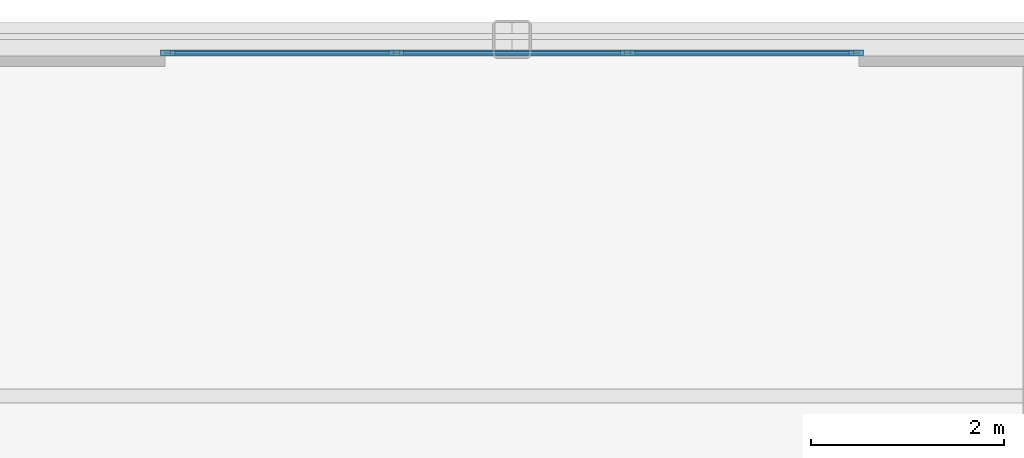
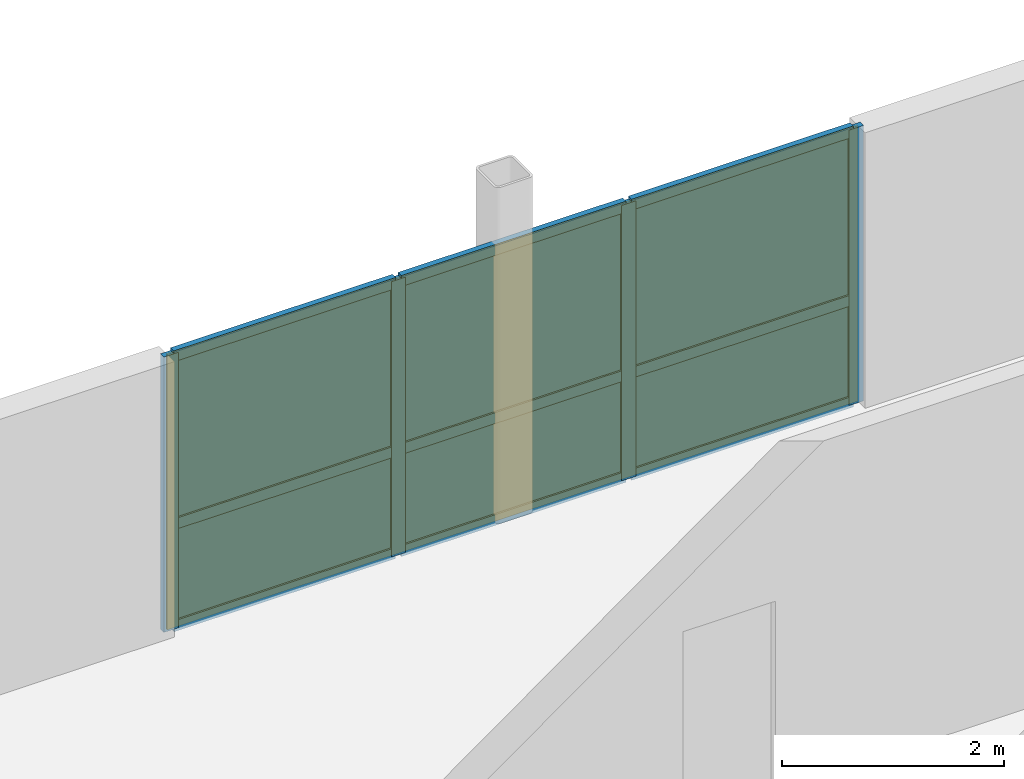
# One storey, part 5 of 9: 13 members, 6 plates, 1 curtain wall.
"""IFC4 building model written with IfcOpenShell, lengths in metres."""

from ifc_helpers import new_model, si_unit, direction, frame, frame_2d, origin, origin_2d, place, context, subcontext, project, spatial, rectangle, extrude, source, transform, mapped, material, layer, layer_set, material_profile, profile_set, type_object, type_shapes, element, aggregate, save


model = new_model("IFC4")

# Units and contexts
model_context = context("Model", 3, precision=1e-05, world=origin(), true_north=direction((0.0, 1.0)))
body_context = subcontext(model_context, "Body", "Model", "MODEL_VIEW")
ifc_project = project(units=[si_unit("LENGTHUNIT", "METRE"), si_unit("AREAUNIT", "SQUARE_METRE"), si_unit("VOLUMEUNIT", "CUBIC_METRE"), si_unit("PLANEANGLEUNIT", "RADIAN"), si_unit("MASSUNIT", "GRAM", prefix="KILO")], contexts=[model_context])

# Member
ifc_material_1 = material(Name="Anodised aluminium 6063-T6", Category="aluminium")
ifc_material_profile_1 = material_profile(ifc_material_1, rectangle(XDim=0.06005859375, YDim=0.14990234375, at=origin_2d()), Name="ALU-MULL-60x150")
ifc_profile_set_1 = profile_set([ifc_material_profile_1], Name="Anodised aluminium 6063-T6")
member_type_1 = type_object("IfcMemberType", Name="CWM-6", PredefinedType="MULLION", material=ifc_profile_set_1)
site_placement = place(None, origin())
building_placement = place(site_placement, origin())
storey_placement = place(building_placement, frame((0.0, 0.0, 287.14990234375)))
member_1_placement = place(storey_placement, frame((-3.570068359375, 16.860107421875, 0.0), z_axis=(0.0, 0.0, 1.0), x_axis=(0.0, 1.0, 0.0)))
member_1 = element("IfcMember", 1, at=member_1_placement, type_object=member_type_1, Name="CWS-6 mullion 1", PredefinedType="MULLION", context=body_context, shape_type="SweptSolid", body=[
    extrude(rectangle(XDim=0.06005859375, YDim=0.14990234375, at=origin_2d()), origin(), (0.0, 0.0, 1.0), 3.03515625),
])

member_2_placement = place(storey_placement, frame((-1.199951171875, 16.860107421875, 0.0), z_axis=(0.0, 0.0, 1.0), x_axis=(0.0, 1.0, 0.0)))
member_2 = element("IfcMember", 2, at=member_2_placement, type_object=member_type_1, Name="CWS-6 mullion 2", PredefinedType="MULLION", context=body_context, shape_type="SweptSolid", body=[
    extrude(rectangle(XDim=0.06005859375, YDim=0.14990234375, at=origin_2d()), origin(), (0.0, 0.0, 1.0), 3.03515625),
])

member_3_placement = place(storey_placement, frame((1.199951171875, 16.860107421875, 0.0), z_axis=(0.0, 0.0, 1.0), x_axis=(0.0, 1.0, 0.0)))
member_3 = element("IfcMember", 3, at=member_3_placement, type_object=member_type_1, Name="CWS-6 mullion 3", PredefinedType="MULLION", context=body_context, shape_type="SweptSolid", body=[
    extrude(rectangle(XDim=0.06005859375, YDim=0.14990234375, at=origin_2d()), origin(), (0.0, 0.0, 1.0), 3.03515625),
])

member_4_placement = place(storey_placement, frame((3.570068359375, 16.860107421875, 0.0), z_axis=(0.0, 0.0, 1.0), x_axis=(0.0, 1.0, 0.0)))
member_4 = element("IfcMember", 4, at=member_4_placement, type_object=member_type_1, Name="CWS-6 mullion 4", PredefinedType="MULLION", context=body_context, shape_type="SweptSolid", body=[
    extrude(rectangle(XDim=0.06005859375, YDim=0.14990234375, at=origin_2d()), origin(), (0.0, 0.0, 1.0), 3.03515625),
])

ifc_material_profile_2 = material_profile(ifc_material_1, rectangle(XDim=0.06005859375, YDim=0.1201171875, at=origin_2d()), Name="ALU-TRAN-60x120")
ifc_profile_set_2 = profile_set([ifc_material_profile_2], Name="Anodised aluminium 6063-T6")
member_type_2 = type_object("IfcMemberType", Name="CWT-6", PredefinedType="USERDEFINED", material=ifc_profile_set_2)
member_5_placement = place(storey_placement, frame((-3.5400390625, 16.860107421875, 0.030029296875), z_axis=(1.0, 0.0, 0.0), x_axis=(0.0, 1.0, 0.0)))
member_5 = element("IfcMember", 5, at=member_5_placement, type_object=member_type_2, Name="CWS-6 transom 1.1", ObjectType="TRANSOM", PredefinedType="USERDEFINED", context=body_context, shape_type="SweptSolid", body=[
    extrude(rectangle(XDim=0.06005859375, YDim=0.1201171875, at=origin_2d()), origin(), (0.0, 0.0, 1.0), 2.31005859375),
])

member_6_placement = place(storey_placement, frame((-3.5400390625, 16.860107421875, 1.1533203125), z_axis=(1.0, 0.0, 0.0), x_axis=(0.0, 1.0, 0.0)))
member_6 = element("IfcMember", 6, at=member_6_placement, type_object=member_type_2, Name="CWS-6 transom 1.2", ObjectType="TRANSOM", PredefinedType="USERDEFINED", context=body_context, shape_type="SweptSolid", body=[
    extrude(rectangle(XDim=0.06005859375, YDim=0.1201171875, at=origin_2d()), origin(), (0.0, 0.0, 1.0), 2.31005859375),
])

member_7_placement = place(storey_placement, frame((-3.5400390625, 16.860107421875, 3.005126953125), z_axis=(1.0, 0.0, 0.0), x_axis=(0.0, 1.0, 0.0)))
member_7 = element("IfcMember", 7, at=member_7_placement, type_object=member_type_2, Name="CWS-6 transom 1.3", ObjectType="TRANSOM", PredefinedType="USERDEFINED", context=body_context, shape_type="SweptSolid", body=[
    extrude(rectangle(XDim=0.06005859375, YDim=0.1201171875, at=origin_2d()), origin(), (0.0, 0.0, 1.0), 2.31005859375),
])

member_8_placement = place(storey_placement, frame((-1.169921875, 16.860107421875, 0.030029296875), z_axis=(1.0, 0.0, 0.0), x_axis=(0.0, 1.0, 0.0)))
member_8 = element("IfcMember", 8, at=member_8_placement, type_object=member_type_2, Name="CWS-6 transom 2.1", ObjectType="TRANSOM", PredefinedType="USERDEFINED", context=body_context, shape_type="SweptSolid", body=[
    extrude(rectangle(XDim=0.06005859375, YDim=0.1201171875, at=origin_2d()), origin(), (0.0, 0.0, 1.0), 2.33984375),
])

member_9_placement = place(storey_placement, frame((-1.169921875, 16.860107421875, 1.1533203125), z_axis=(1.0, 0.0, 0.0), x_axis=(0.0, 1.0, 0.0)))
member_9 = element("IfcMember", 9, at=member_9_placement, type_object=member_type_2, Name="CWS-6 transom 2.2", ObjectType="TRANSOM", PredefinedType="USERDEFINED", context=body_context, shape_type="SweptSolid", body=[
    extrude(rectangle(XDim=0.06005859375, YDim=0.1201171875, at=origin_2d()), origin(), (0.0, 0.0, 1.0), 2.33984375),
])

member_10_placement = place(storey_placement, frame((-1.169921875, 16.860107421875, 3.005126953125), z_axis=(1.0, 0.0, 0.0), x_axis=(0.0, 1.0, 0.0)))
member_10 = element("IfcMember", 10, at=member_10_placement, type_object=member_type_2, Name="CWS-6 transom 2.3", ObjectType="TRANSOM", PredefinedType="USERDEFINED", context=body_context, shape_type="SweptSolid", body=[
    extrude(rectangle(XDim=0.06005859375, YDim=0.1201171875, at=origin_2d()), origin(), (0.0, 0.0, 1.0), 2.33984375),
])

member_11_placement = place(storey_placement, frame((1.22998046875, 16.860107421875, 0.030029296875), z_axis=(1.0, 0.0, 0.0), x_axis=(0.0, 1.0, 0.0)))
member_11 = element("IfcMember", 11, at=member_11_placement, type_object=member_type_2, Name="CWS-6 transom 3.1", ObjectType="TRANSOM", PredefinedType="USERDEFINED", context=body_context, shape_type="SweptSolid", body=[
    extrude(rectangle(XDim=0.06005859375, YDim=0.1201171875, at=origin_2d()), origin(), (0.0, 0.0, 1.0), 2.31005859375),
])

member_12_placement = place(storey_placement, frame((1.22998046875, 16.860107421875, 1.1533203125), z_axis=(1.0, 0.0, 0.0), x_axis=(0.0, 1.0, 0.0)))
member_12 = element("IfcMember", 12, at=member_12_placement, type_object=member_type_2, Name="CWS-6 transom 3.2", ObjectType="TRANSOM", PredefinedType="USERDEFINED", context=body_context, shape_type="SweptSolid", body=[
    extrude(rectangle(XDim=0.06005859375, YDim=0.1201171875, at=origin_2d()), origin(), (0.0, 0.0, 1.0), 2.31005859375),
])

member_13_placement = place(storey_placement, frame((1.22998046875, 16.860107421875, 3.005126953125), z_axis=(1.0, 0.0, 0.0), x_axis=(0.0, 1.0, 0.0)))
member_13 = element("IfcMember", 13, at=member_13_placement, type_object=member_type_2, Name="CWS-6 transom 3.3", ObjectType="TRANSOM", PredefinedType="USERDEFINED", context=body_context, shape_type="SweptSolid", body=[
    extrude(rectangle(XDim=0.06005859375, YDim=0.1201171875, at=origin_2d()), origin(), (0.0, 0.0, 1.0), 2.31005859375),
])

# Plate
ifc_material_2 = material(Name="Insulated solar-control glass", Category="glass")
ifc_layer_1 = layer(ifc_material_2, 0.02392578125, Name="CWP-6")
ifc_layer_set_1 = layer_set([ifc_layer_1], Name="Insulated solar-control glass")
plate_type = type_object("IfcPlateType", Name="CWP-6", PredefinedType="CURTAIN_PANEL", material=ifc_layer_set_1)
shared_shape_1 = source(origin(), body_context, "Body", "SweptSolid", [
    extrude(rectangle(XDim=2.31005859375, YDim=0.02392578125, at=origin_2d()), origin(), (0.0, 0.0, 1.0), 1.063232421875),
])
plate_1_placement = place(storey_placement, frame((-2.385009765625, 16.860107421875, 0.06005859375), z_axis=(0.0, 0.0, 1.0), x_axis=(1.0, 0.0, 0.0)))
plate_1 = element("IfcPlate", 14, at=plate_1_placement, type_object=plate_type, Name="CWS-6 panel 1.1", PredefinedType="CURTAIN_PANEL", context=body_context, shape_type="MappedRepresentation", body=[
    mapped(shared_shape_1, transform((0.0, 0.0, 0.0), scale=1.0)),
])

plate_2_placement = place(storey_placement, frame((2.385009765625, 16.860107421875, 0.06005859375), z_axis=(0.0, 0.0, 1.0), x_axis=(1.0, 0.0, 0.0)))
plate_2 = element("IfcPlate", 15, at=plate_2_placement, type_object=plate_type, Name="CWS-6 panel 3.1", PredefinedType="CURTAIN_PANEL", context=body_context, shape_type="MappedRepresentation", body=[
    mapped(shared_shape_1, transform((0.0, 0.0, 0.0), scale=1.0)),
])

shared_shape_2 = source(origin(), body_context, "Body", "SweptSolid", [
    extrude(rectangle(XDim=2.31005859375, YDim=0.02392578125, at=origin_2d()), origin(), (0.0, 0.0, 1.0), 1.791748046875),
])
plate_3_placement = place(storey_placement, frame((-2.385009765625, 16.860107421875, 1.18359375), z_axis=(0.0, 0.0, 1.0), x_axis=(1.0, 0.0, 0.0)))
plate_3 = element("IfcPlate", 16, at=plate_3_placement, type_object=plate_type, Name="CWS-6 panel 1.2", PredefinedType="CURTAIN_PANEL", context=body_context, shape_type="MappedRepresentation", body=[
    mapped(shared_shape_2, transform((0.0, 0.0, 0.0), scale=1.0)),
])

plate_4_placement = place(storey_placement, frame((2.385009765625, 16.860107421875, 1.18359375), z_axis=(0.0, 0.0, 1.0), x_axis=(1.0, 0.0, 0.0)))
plate_4 = element("IfcPlate", 17, at=plate_4_placement, type_object=plate_type, Name="CWS-6 panel 3.2", PredefinedType="CURTAIN_PANEL", context=body_context, shape_type="MappedRepresentation", body=[
    mapped(shared_shape_2, transform((0.0, 0.0, 0.0), scale=1.0)),
])

shared_shape_3 = source(origin(), body_context, "Body", "SweptSolid", [
    extrude(rectangle(XDim=2.340087890625, YDim=0.02392578125, at=origin_2d()), origin(), (0.0, 0.0, 1.0), 1.063232421875),
])
plate_5_placement = place(storey_placement, frame((0.0, 16.860107421875, 0.06005859375), z_axis=(0.0, 0.0, 1.0), x_axis=(1.0, 0.0, 0.0)))
plate_5 = element("IfcPlate", 18, at=plate_5_placement, type_object=plate_type, Name="CWS-6 panel 2.1", PredefinedType="CURTAIN_PANEL", context=body_context, shape_type="MappedRepresentation", body=[
    mapped(shared_shape_3, transform((0.0, 0.0, 0.0), scale=1.0)),
])

shared_shape_4 = source(origin(), body_context, "Body", "SweptSolid", [
    extrude(rectangle(XDim=2.340087890625, YDim=0.02392578125, at=origin_2d()), origin(), (0.0, 0.0, 1.0), 1.791748046875),
])
type_shapes(plate_type, [shared_shape_1, shared_shape_2, shared_shape_3, shared_shape_4])
plate_6_placement = place(storey_placement, frame((0.0, 16.860107421875, 1.18359375), z_axis=(0.0, 0.0, 1.0), x_axis=(1.0, 0.0, 0.0)))
plate_6 = element("IfcPlate", 19, at=plate_6_placement, type_object=plate_type, Name="CWS-6 panel 2.2", PredefinedType="CURTAIN_PANEL", context=body_context, shape_type="MappedRepresentation", body=[
    mapped(shared_shape_4, transform((0.0, 0.0, 0.0), scale=1.0)),
])

# Site, building, storey
site = spatial("IfcSite", under=ifc_project, at=site_placement, CompositionType="ELEMENT")
building = spatial("IfcBuilding", under=site, at=building_placement, Name="Nuvemarco Arch Tower", CompositionType="ELEMENT")
storey = spatial("IfcBuildingStorey", under=building, at=storey_placement, Name="L76", CompositionType="ELEMENT", Elevation=287.14990234375)

# Curtain wall
ifc_layer_2 = layer(ifc_material_2, 0.14990234375, Name="CW-SYS-6")
ifc_layer_set_2 = layer_set([ifc_layer_2], Name="Insulated solar-control glass")
curtain_wall_type = type_object("IfcCurtainWallType", Name="CW-SYS-6", PredefinedType="NOTDEFINED", material=ifc_layer_set_2)
curtain_wall_placement = place(storey_placement, frame((-3.60009765625, 16.860107421875, 0.0), z_axis=(0.0, 0.0, 1.0), x_axis=(1.0, 0.0, 0.0)))
curtain_wall = element("IfcCurtainWall", 20, at=curtain_wall_placement, inside=storey, type_object=curtain_wall_type, Name="L76 curtain wall CWS-6", PredefinedType="NOTDEFINED", context=body_context, shape_type="SweptSolid", body=[
    extrude(rectangle(XDim=7.2001953125, YDim=0.02001953125, at=frame_2d((3.60009765625, 0.0))), origin(), (0.0, 0.0, 1.0), 3.03515625),
])

aggregate(curtain_wall, [member_1, member_2, member_3, member_4, member_5, member_6, member_7, plate_1, plate_3, member_8, member_9, member_10, plate_5, plate_6, member_11, member_12, member_13, plate_2, plate_4])

save(model, "model.ifc")
